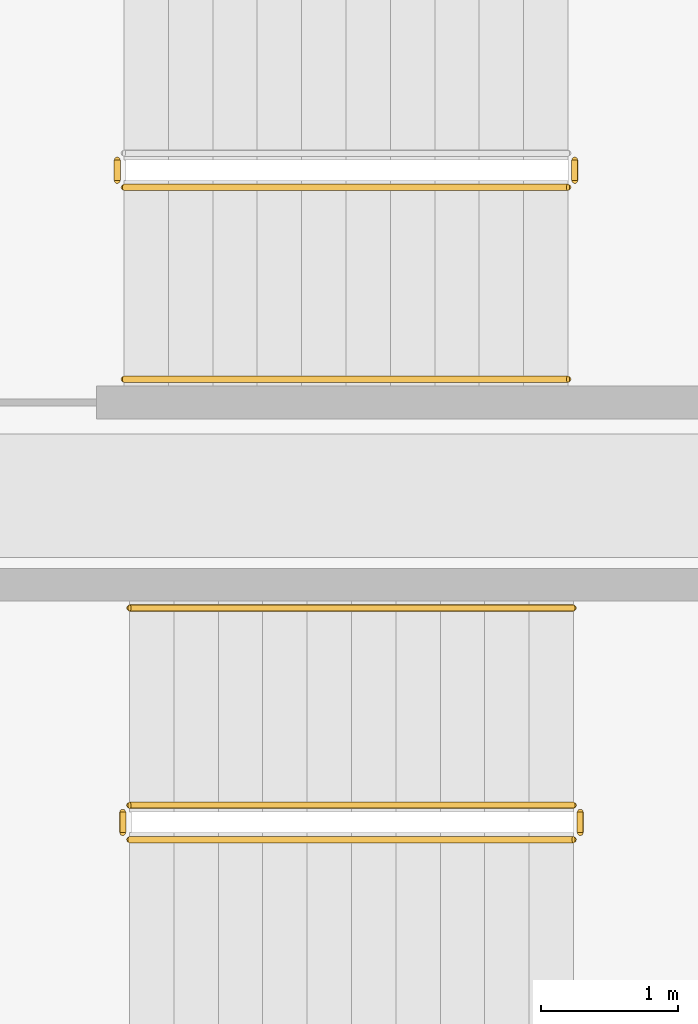
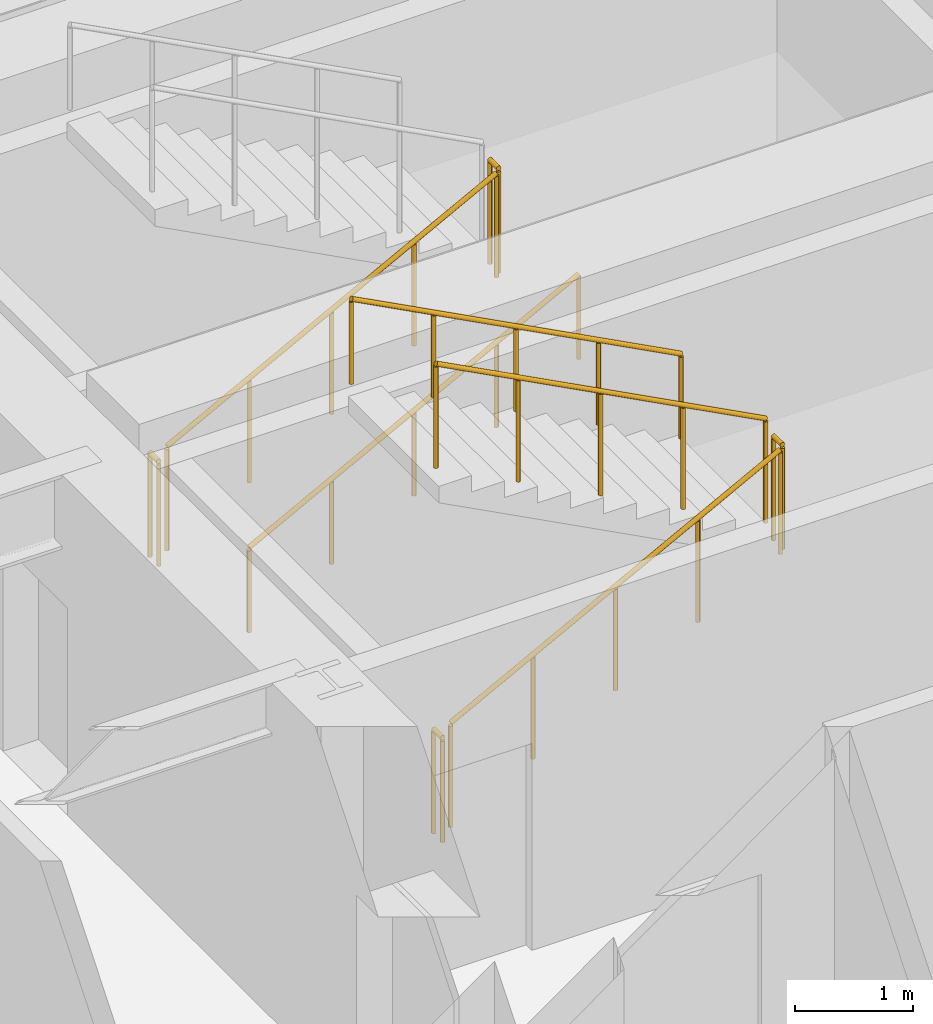
# One storey, part 11 of 12: 9 railings.
"""IFC4 building model written with IfcOpenShell, lengths in metres."""

import ifcopenshell
import ifcopenshell.guid

model = None  # the IFC model being written
_history = None  # IfcOwnerHistory: only IFC2X3 demands one
_inside = {}  # id of a spatial element -> (the spatial element, [elements in it])
_under = {}  # id of a project, library or spatial element -> (it, [spatial elements below it])
_declared = {}  # id of a project -> (the project, [libraries it declares])
_typed = {}  # id of a type object -> (the type object, [elements of that type])
_made_of = {}  # id of a material, layer set ... -> (it, [elements and type objects made of it])


def new_model(schema):
    """Start an empty IFC model of exactly this schema.

    Asked for "IFC4X3", IfcOpenShell would pick the latest addendum, in which some entities
    have other attributes; the version numbers below select the first issue.
    IFC2X3 requires an IfcOwnerHistory on every rooted entity: one is made here for all.
    """
    global model, _history
    if schema == "IFC4X3":
        model = ifcopenshell.file(schema_version=(4, 3, 0, 0))
    else:
        model = ifcopenshell.file(schema=schema)
    _inside.clear()
    _under.clear()
    _declared.clear()
    _typed.clear()
    _made_of.clear()
    _history = None
    if model.schema == "IFC2X3":
        org = make("IfcOrganization", Name="unknown")
        user = make(
            "IfcPersonAndOrganization",
            ThePerson=make("IfcPerson", FamilyName="unknown"),
            TheOrganization=org,
        )
        app = make(
            "IfcApplication",
            ApplicationDeveloper=org,
            Version="unknown",
            ApplicationFullName="unknown",
            ApplicationIdentifier="unknown",
        )
        _history = make(
            "IfcOwnerHistory",
            OwningUser=user,
            OwningApplication=app,
            ChangeAction="ADDED",
            CreationDate=0,
        )
    return model


def make(cls, **values):
    """One entity of the class cls with the attributes given. An attribute that is None is left unset."""
    return model.create_entity(
        cls, **{name: value for name, value in values.items() if value is not None}
    )


def rooted(cls, **values):
    """An entity with a GlobalId (a new one), such as an element, a storey or a relation."""
    return make(cls, GlobalId=ifcopenshell.guid.new(), OwnerHistory=_history, **values)


def si_unit(unit_type, name, prefix=None):
    """IfcSIUnit, for example si_unit("LENGTHUNIT", "METRE", prefix="MILLI")."""
    return make("IfcSIUnit", UnitType=unit_type, Prefix=prefix, Name=name)


def assignment(units):
    """IfcUnitAssignment: the units of a project."""
    return None if units is None else make("IfcUnitAssignment", Units=units)


def point(xyz):
    """IfcCartesianPoint."""
    return None if xyz is None else make("IfcCartesianPoint", Coordinates=xyz)


def direction(xyz):
    """IfcDirection."""
    return None if xyz is None else make("IfcDirection", DirectionRatios=xyz)


def frame(location, z_axis=None, x_axis=None):
    """IfcAxis2Placement3D, a coordinate frame: its origin and axes. An axis left out is left unset."""
    return make(
        "IfcAxis2Placement3D",
        Location=point(location),
        Axis=direction(z_axis),
        RefDirection=direction(x_axis),
    )


def frame_2d(location, x_axis=None):
    """IfcAxis2Placement2D, a coordinate frame in the plane: its origin and x axis."""
    return make(
        "IfcAxis2Placement2D", Location=point(location), RefDirection=direction(x_axis)
    )


def origin():
    """The frame at (0, 0, 0) with its axes left unset."""
    return frame((0.0, 0.0, 0.0))


def origin_2d():
    """The frame at (0, 0) in the plane with its x axis left unset."""
    return frame_2d((0.0, 0.0))


def place(relative_to, where):
    """IfcLocalPlacement: puts the frame where relative to a parent placement (None: the world)."""
    return make(
        "IfcLocalPlacement", PlacementRelTo=relative_to, RelativePlacement=where
    )


def context(
    kind, dimensions, precision=None, world=None, true_north=None, identifier=None
):
    """IfcGeometricRepresentationContext, for example the 3D "Model" context."""
    return make(
        "IfcGeometricRepresentationContext",
        ContextIdentifier=identifier,
        ContextType=kind,
        CoordinateSpaceDimension=dimensions,
        Precision=precision,
        WorldCoordinateSystem=world,
        TrueNorth=true_north,
    )


def subcontext(parent, identifier, kind, view, scale=None):
    """IfcGeometricRepresentationSubContext, for example "Body" below "Model"."""
    return make(
        "IfcGeometricRepresentationSubContext",
        ContextIdentifier=identifier,
        ContextType=kind,
        ParentContext=parent,
        TargetScale=scale,
        TargetView=view,
    )


def project(units=None, contexts=None):
    """IfcProject with its units and contexts."""
    return rooted(
        "IfcProject",
        Name="project",
        RepresentationContexts=contexts,
        UnitsInContext=assignment(units),
    )


def spatial(cls, under=None, at=None, **own):
    """A site, building, storey or space (cls), placed at a placement, below another one or the project."""
    s = rooted(cls, ObjectPlacement=at, **own)
    if under is not None:
        _under.setdefault(under.id(), (under, []))[1].append(s)
    return s


def profile(cls, at=None, kind="AREA", **sizes):
    """A parametric profile (cls). Its sizes go by their IFC names, for example OverallWidth=200.0."""
    return make(cls, ProfileType=kind, Position=at, **sizes)


def circle(**sizes):
    """IfcCircleProfileDef."""
    return profile("IfcCircleProfileDef", **sizes)


def extrude(swept, where, along, depth):
    """IfcExtrudedAreaSolid: the profile swept, set in the frame where, extruded along a direction by depth."""
    return make(
        "IfcExtrudedAreaSolid",
        SweptArea=swept,
        Position=where,
        ExtrudedDirection=direction(along),
        Depth=depth,
    )


def shape(context_of_items, identifier, shape_type, items):
    """IfcShapeRepresentation: the items that make up one representation, for example the "Body"."""
    return make(
        "IfcShapeRepresentation",
        ContextOfItems=context_of_items,
        RepresentationIdentifier=identifier,
        RepresentationType=shape_type,
        Items=items,
    )


def material(Name=None, Category=None):
    """IfcMaterial."""
    return make("IfcMaterial", Name=Name, Category=Category)


def made_of(thing, what):
    """Note that an element or type object is made of a material, layer set ...; save() writes the relation."""
    if what is not None:
        _made_of.setdefault(what.id(), (what, []))[1].append(thing)
    return thing


def type_object(cls, material=None, **own):
    """A type object (cls), such as IfcWallType, which elements share."""
    return made_of(rooted(cls, **own), material)


def element(
    cls,
    number,
    at=None,
    inside=None,
    cuts=None,
    type_object=None,
    material=None,
    context=None,
    identifier="Body",
    shape_type=None,
    held_by="IfcProductDefinitionShape",
    body=None,
    shapes=None,
    **own,
):
    """One element of the class cls, such as IfcWall. Its Tag is "e" and its number.

    at: its placement. inside: the storey or other place that contains it. cuts: it is an
    opening in that element (IfcRelVoidsElement). A single representation is given by context,
    identifier, shape_type and body (its items); several are given by shapes. held_by: the class
    of the entity that holds the representations. save() writes the other relations.
    """
    e = rooted(cls, Tag="e%d" % number, ObjectPlacement=at, **own)
    if body is not None:
        shapes = [shape(context, identifier, shape_type, body)]
    if shapes is not None:
        e.Representation = make(held_by, Representations=shapes)
    if inside is not None:
        _inside.setdefault(inside.id(), (inside, []))[1].append(e)
    if cuts is not None:
        rooted(
            "IfcRelVoidsElement", RelatingBuildingElement=cuts, RelatedOpeningElement=e
        )
    if type_object is not None:
        _typed.setdefault(type_object.id(), (type_object, []))[1].append(e)
    return made_of(e, material)


def aggregate(whole, parts):
    """IfcRelAggregates: a whole, such as a stair, and the parts it consists of."""
    return rooted("IfcRelAggregates", RelatingObject=whole, RelatedObjects=parts)


def save(model, path):
    """Write the relations noted so far, then the file.

    IfcRelAggregates (storeys below a building ...), IfcRelContainedInSpatialStructure (elements
    in a storey), IfcRelDefinesByType, IfcRelAssociatesMaterial and IfcRelDeclares: one each for
    every whole, place, type object, material and project.
    """
    for whole, parts in _under.values():
        aggregate(whole, parts)
    for where, things in _inside.values():
        rooted(
            "IfcRelContainedInSpatialStructure",
            RelatedElements=things,
            RelatingStructure=where,
        )
    for kind, things in _typed.values():
        rooted("IfcRelDefinesByType", RelatedObjects=things, RelatingType=kind)
    for what, things in _made_of.values():
        rooted("IfcRelAssociatesMaterial", RelatedObjects=things, RelatingMaterial=what)
    for by, libraries in _declared.values():
        rooted("IfcRelDeclares", RelatingContext=by, RelatedDefinitions=libraries)
    model.write(path)


model = new_model("IFC4")

# Units and contexts
model_context = context("Model", 3, precision=1e-05, world=origin(), true_north=direction((0.0, 1.0)))
body_context = subcontext(model_context, "Body", "Model", "MODEL_VIEW")
ifc_project = project(units=[si_unit("LENGTHUNIT", "METRE"), si_unit("AREAUNIT", "SQUARE_METRE"), si_unit("VOLUMEUNIT", "CUBIC_METRE"), si_unit("PLANEANGLEUNIT", "RADIAN"), si_unit("MASSUNIT", "GRAM", prefix="KILO")], contexts=[model_context])

# Site, building, storey
site_placement = place(None, origin())
site = spatial("IfcSite", under=ifc_project, at=site_placement, CompositionType="ELEMENT")
building_placement = place(site_placement, origin())
building = spatial("IfcBuilding", under=site, at=building_placement, Name="Kolvaren Arena Tower", CompositionType="ELEMENT")
storey_placement = place(building_placement, frame((0.0, 0.0, 138.25)))
storey = spatial("IfcBuildingStorey", under=building, at=storey_placement, Name="L32", CompositionType="ELEMENT", Elevation=138.25)

# Railings
ifc_material_1 = material(Name="Painted galvanized steel", Category="steel")
railing_type_1 = type_object("IfcRailingType", Name="GUARD-ST-110", PredefinedType="GUARDRAIL", material=ifc_material_1)
railing_1_placement = place(storey_placement, frame((52.719970703125, 31.639892578125, 0.17041015625)))
element("IfcRailing", 1, at=railing_1_placement, inside=storey, type_object=railing_type_1, Name="L32 ST-E1 stair guard 1", PredefinedType="GUARDRAIL", context=body_context, shape_type="SweptSolid", body=[
    extrude(circle(Radius=0.02392578125, at=origin_2d()), frame((0.0, 0.0, 1.076171875), z_axis=(0.884993431791, 0.0, 0.465603506952), x_axis=(0.0, 1.0, 0.0)), (0.0, 0.0, 1.0), 3.6611328125),
    extrude(circle(Radius=0.02099609375, at=origin_2d()), origin(), (0.0, 0.0, 1.0), 1.052001953125),
    extrude(circle(Radius=0.02099609375, at=origin_2d()), frame((0.81005859375, 0.0, 0.42626953125)), (0.0, 0.0, 1.0), 1.052001953125),
    extrude(circle(Radius=0.02099609375, at=origin_2d()), frame((1.6201171875, 0.0, 0.852294921875)), (0.0, 0.0, 1.0), 1.052001953125),
    extrude(circle(Radius=0.02099609375, at=origin_2d()), frame((2.429931640625, 0.0, 1.2783203125)), (0.0, 0.0, 1.0), 1.052001953125),
    extrude(circle(Radius=0.02099609375, at=origin_2d()), frame((3.239990234375, 0.0, 1.70458984375)), (0.0, 0.0, 1.0), 1.052001953125),
])
railing_2_placement = place(storey_placement, frame((56.010009765625, 31.68994140625, 1.875)))
element("IfcRailing", 2, at=railing_2_placement, inside=storey, type_object=railing_type_1, Name="L32 ST-E1 stair guard 2", PredefinedType="GUARDRAIL", context=body_context, shape_type="SweptSolid", body=[
    extrude(circle(Radius=0.02392578125, at=origin_2d()), frame((0.0, 0.0, 1.076171875), z_axis=(0.0, 1.0, 0.0), x_axis=(-1.0, 0.0, 0.0)), (0.0, 0.0, 1.0), 0.150146484375),
    extrude(circle(Radius=0.02099609375, at=origin_2d()), origin(), (0.0, 0.0, 1.0), 1.052001953125),
    extrude(circle(Radius=0.02099609375, at=origin_2d()), frame((0.0, 0.150146484375, 0.0)), (0.0, 0.0, 1.0), 1.052001953125),
])
railing_3_placement = place(storey_placement, frame((55.9599609375, 31.889892578125, 2.04541015625)))
element("IfcRailing", 3, at=railing_3_placement, inside=storey, type_object=railing_type_1, Name="L32 ST-E1 stair guard 3", PredefinedType="GUARDRAIL", context=body_context, shape_type="SweptSolid", body=[
    extrude(circle(Radius=0.02392578125, at=origin_2d()), frame((0.0, 0.0, 1.076171875), z_axis=(-0.884993431791, 0.0, 0.465603506952), x_axis=(0.0, -1.0, 0.0)), (0.0, 0.0, 1.0), 3.6611328125),
    extrude(circle(Radius=0.02099609375, at=origin_2d()), origin(), (0.0, 0.0, 1.0), 1.052001953125),
    extrude(circle(Radius=0.02099609375, at=origin_2d()), frame((-0.81005859375, 0.0, 0.42626953125)), (0.0, 0.0, 1.0), 1.052001953125),
    extrude(circle(Radius=0.02099609375, at=origin_2d()), frame((-1.6201171875, 0.0, 0.852294921875)), (0.0, 0.0, 1.0), 1.052001953125),
    extrude(circle(Radius=0.02099609375, at=origin_2d()), frame((-2.429931640625, 0.0, 1.2783203125)), (0.0, 0.0, 1.0), 1.052001953125),
    extrude(circle(Radius=0.02099609375, at=origin_2d()), frame((-3.239990234375, 0.0, 1.70458984375)), (0.0, 0.0, 1.0), 1.052001953125),
])
railing_4_placement = place(storey_placement, frame((52.669921875, 31.68994140625, 0.0)))
element("IfcRailing", 4, at=railing_4_placement, inside=storey, type_object=railing_type_1, Name="L32 ST-E1 stair guard 4", PredefinedType="GUARDRAIL", context=body_context, shape_type="SweptSolid", body=[
    extrude(circle(Radius=0.02392578125, at=origin_2d()), frame((0.0, 0.0, 1.076171875), z_axis=(0.0, 1.0, 0.0), x_axis=(-1.0, 0.0, 0.0)), (0.0, 0.0, 1.0), 0.150146484375),
    extrude(circle(Radius=0.02099609375, at=origin_2d()), origin(), (0.0, 0.0, 1.0), 1.052001953125),
    extrude(circle(Radius=0.02099609375, at=origin_2d()), frame((0.0, 0.150146484375, 0.0)), (0.0, 0.0, 1.0), 1.052001953125),
])
railing_5_placement = place(storey_placement, frame((52.679931640625, 36.39990234375, 0.17041015625)))
element("IfcRailing", 5, at=railing_5_placement, inside=storey, type_object=railing_type_1, Name="L32 ST-E2 stair guard 1", PredefinedType="GUARDRAIL", context=body_context, shape_type="SweptSolid", body=[
    extrude(circle(Radius=0.02392578125, at=origin_2d()), frame((0.0, 0.0, 1.076171875), z_axis=(0.884993431791, 0.0, 0.465603506952), x_axis=(0.0, 1.0, 0.0)), (0.0, 0.0, 1.0), 3.6611328125),
    extrude(circle(Radius=0.02099609375, at=origin_2d()), origin(), (0.0, 0.0, 1.0), 1.052001953125),
    extrude(circle(Radius=0.02099609375, at=origin_2d()), frame((0.81005859375, 0.0, 0.42626953125)), (0.0, 0.0, 1.0), 1.052001953125),
    extrude(circle(Radius=0.02099609375, at=origin_2d()), frame((1.6201171875, 0.0, 0.852294921875)), (0.0, 0.0, 1.0), 1.052001953125),
    extrude(circle(Radius=0.02099609375, at=origin_2d()), frame((2.429931640625, 0.0, 1.2783203125)), (0.0, 0.0, 1.0), 1.052001953125),
    extrude(circle(Radius=0.02099609375, at=origin_2d()), frame((3.239990234375, 0.0, 1.70458984375)), (0.0, 0.0, 1.0), 1.052001953125),
])
for number, where, name in (
    (6, (55.969970703125, 36.449951171875, 1.875), "L32 ST-E2 stair guard 2"),
    (7, (52.6298828125, 36.449951171875, 0.0), "L32 ST-E2 stair guard 4"),
):
    element("IfcRailing", number, at=place(storey_placement, frame(where)), inside=storey, type_object=railing_type_1, Name=name, PredefinedType="GUARDRAIL", context=body_context, shape_type="SweptSolid", body=[
        extrude(circle(Radius=0.02392578125, at=origin_2d()), frame((0.0, 0.0, 1.076171875), z_axis=(0.0, 1.0, 0.0), x_axis=(-1.0, 0.0, 0.0)), (0.0, 0.0, 1.0), 0.150146484375),
        extrude(circle(Radius=0.02099609375, at=origin_2d()), origin(), (0.0, 0.0, 1.0), 1.052001953125),
        extrude(circle(Radius=0.02099609375, at=origin_2d()), frame((0.0, 0.150146484375, 0.0)), (0.0, 0.0, 1.0), 1.052001953125),
    ])
ifc_material_2 = material(Name="Brushed stainless steel handrail", Category="steel")
railing_type_2 = type_object("IfcRailingType", Name="HRAIL-900", PredefinedType="HANDRAIL", material=ifc_material_2)
railing_6_placement = place(storey_placement, frame((55.9599609375, 33.330078125, 2.04541015625)))
element("IfcRailing", 8, at=railing_6_placement, inside=storey, type_object=railing_type_2, Name="L32 ST-E1 stair handrail 2", PredefinedType="HANDRAIL", context=body_context, shape_type="SweptSolid", body=[
    extrude(circle(Radius=0.02392578125, at=origin_2d()), frame((0.0, 0.0, 0.8759765625), z_axis=(-0.884993431791, 0.0, 0.465603506952), x_axis=(0.0, -1.0, 0.0)), (0.0, 0.0, 1.0), 3.6611328125),
    extrude(circle(Radius=0.02099609375, at=origin_2d()), origin(), (0.0, 0.0, 1.0), 0.851806640625),
    extrude(circle(Radius=0.02099609375, at=origin_2d()), frame((-0.81005859375, 0.0, 0.42626953125)), (0.0, 0.0, 1.0), 0.851806640625),
    extrude(circle(Radius=0.02099609375, at=origin_2d()), frame((-1.6201171875, 0.0, 0.852294921875)), (0.0, 0.0, 1.0), 0.851806640625),
    extrude(circle(Radius=0.02099609375, at=origin_2d()), frame((-2.429931640625, 0.0, 1.2783203125)), (0.0, 0.0, 1.0), 0.851806640625),
    extrude(circle(Radius=0.02099609375, at=origin_2d()), frame((-3.239990234375, 0.0, 1.70458984375)), (0.0, 0.0, 1.0), 0.851806640625),
])
railing_7_placement = place(storey_placement, frame((52.679931640625, 35.0, 0.17041015625)))
element("IfcRailing", 9, at=railing_7_placement, inside=storey, type_object=railing_type_2, Name="L32 ST-E2 stair handrail 1", PredefinedType="HANDRAIL", context=body_context, shape_type="SweptSolid", body=[
    extrude(circle(Radius=0.02392578125, at=origin_2d()), frame((0.0, 0.0, 0.8759765625), z_axis=(0.884993431791, 0.0, 0.465603506952), x_axis=(0.0, 1.0, 0.0)), (0.0, 0.0, 1.0), 3.6611328125),
    extrude(circle(Radius=0.02099609375, at=origin_2d()), origin(), (0.0, 0.0, 1.0), 0.851806640625),
    extrude(circle(Radius=0.02099609375, at=origin_2d()), frame((0.81005859375, 0.0, 0.42626953125)), (0.0, 0.0, 1.0), 0.851806640625),
    extrude(circle(Radius=0.02099609375, at=origin_2d()), frame((1.6201171875, 0.0, 0.852294921875)), (0.0, 0.0, 1.0), 0.851806640625),
    extrude(circle(Radius=0.02099609375, at=origin_2d()), frame((2.429931640625, 0.0, 1.2783203125)), (0.0, 0.0, 1.0), 0.851806640625),
    extrude(circle(Radius=0.02099609375, at=origin_2d()), frame((3.239990234375, 0.0, 1.70458984375)), (0.0, 0.0, 1.0), 0.851806640625),
])

save(model, "model.ifc")
